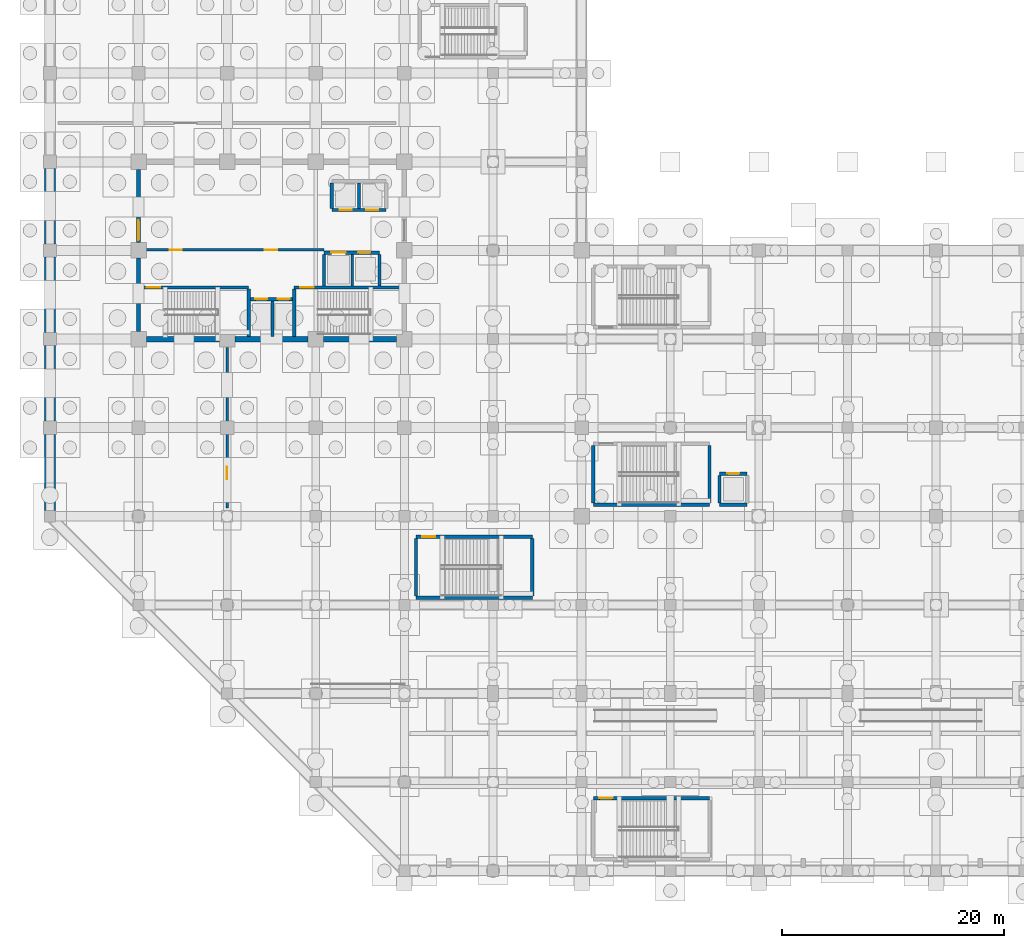
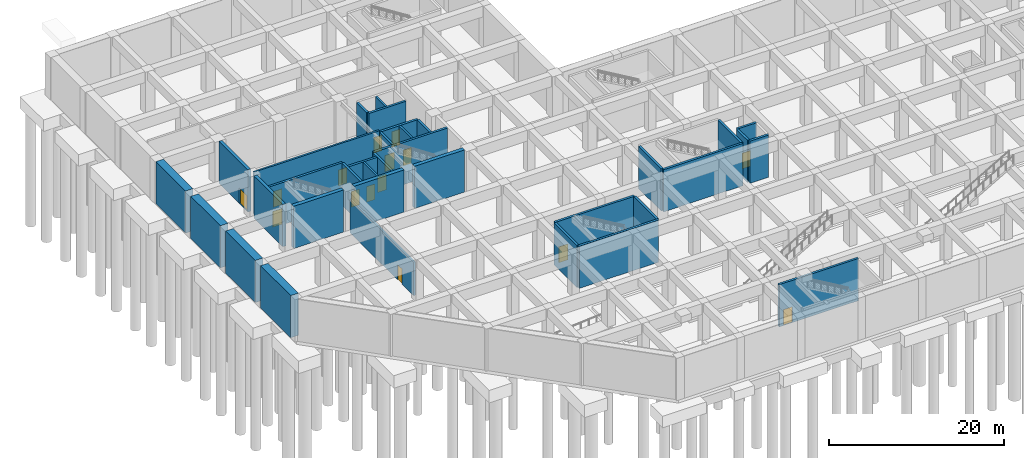
# One storey, part 15 of 26: 35 walls, 15 doors, 15 openings.
"""IFC4 building model written with IfcOpenShell, lengths in metres."""

import ifcopenshell
import ifcopenshell.guid

model = None  # the IFC model being written
_history = None  # IfcOwnerHistory: only IFC2X3 demands one
_inside = {}  # id of a spatial element -> (the spatial element, [elements in it])
_under = {}  # id of a project, library or spatial element -> (it, [spatial elements below it])
_declared = {}  # id of a project -> (the project, [libraries it declares])
_typed = {}  # id of a type object -> (the type object, [elements of that type])
_made_of = {}  # id of a material, layer set ... -> (it, [elements and type objects made of it])


def new_model(schema):
    """Start an empty IFC model of exactly this schema.

    Asked for "IFC4X3", IfcOpenShell would pick the latest addendum, in which some entities
    have other attributes; the version numbers below select the first issue.
    IFC2X3 requires an IfcOwnerHistory on every rooted entity: one is made here for all.
    """
    global model, _history
    if schema == "IFC4X3":
        model = ifcopenshell.file(schema_version=(4, 3, 0, 0))
    else:
        model = ifcopenshell.file(schema=schema)
    _inside.clear()
    _under.clear()
    _declared.clear()
    _typed.clear()
    _made_of.clear()
    _history = None
    if model.schema == "IFC2X3":
        org = make("IfcOrganization", Name="unknown")
        user = make(
            "IfcPersonAndOrganization",
            ThePerson=make("IfcPerson", FamilyName="unknown"),
            TheOrganization=org,
        )
        app = make(
            "IfcApplication",
            ApplicationDeveloper=org,
            Version="unknown",
            ApplicationFullName="unknown",
            ApplicationIdentifier="unknown",
        )
        _history = make(
            "IfcOwnerHistory",
            OwningUser=user,
            OwningApplication=app,
            ChangeAction="ADDED",
            CreationDate=0,
        )
    return model


def make(cls, **values):
    """One entity of the class cls with the attributes given. An attribute that is None is left unset."""
    return model.create_entity(
        cls, **{name: value for name, value in values.items() if value is not None}
    )


def rooted(cls, **values):
    """An entity with a GlobalId (a new one), such as an element, a storey or a relation."""
    return make(cls, GlobalId=ifcopenshell.guid.new(), OwnerHistory=_history, **values)


def si_unit(unit_type, name, prefix=None):
    """IfcSIUnit, for example si_unit("LENGTHUNIT", "METRE", prefix="MILLI")."""
    return make("IfcSIUnit", UnitType=unit_type, Prefix=prefix, Name=name)


def assignment(units):
    """IfcUnitAssignment: the units of a project."""
    return None if units is None else make("IfcUnitAssignment", Units=units)


def point(xyz):
    """IfcCartesianPoint."""
    return None if xyz is None else make("IfcCartesianPoint", Coordinates=xyz)


def direction(xyz):
    """IfcDirection."""
    return None if xyz is None else make("IfcDirection", DirectionRatios=xyz)


def frame(location, z_axis=None, x_axis=None):
    """IfcAxis2Placement3D, a coordinate frame: its origin and axes. An axis left out is left unset."""
    return make(
        "IfcAxis2Placement3D",
        Location=point(location),
        Axis=direction(z_axis),
        RefDirection=direction(x_axis),
    )


def frame_2d(location, x_axis=None):
    """IfcAxis2Placement2D, a coordinate frame in the plane: its origin and x axis."""
    return make(
        "IfcAxis2Placement2D", Location=point(location), RefDirection=direction(x_axis)
    )


def origin():
    """The frame at (0, 0, 0) with its axes left unset."""
    return frame((0.0, 0.0, 0.0))


def place(relative_to, where):
    """IfcLocalPlacement: puts the frame where relative to a parent placement (None: the world)."""
    return make(
        "IfcLocalPlacement", PlacementRelTo=relative_to, RelativePlacement=where
    )


def context(
    kind, dimensions, precision=None, world=None, true_north=None, identifier=None
):
    """IfcGeometricRepresentationContext, for example the 3D "Model" context."""
    return make(
        "IfcGeometricRepresentationContext",
        ContextIdentifier=identifier,
        ContextType=kind,
        CoordinateSpaceDimension=dimensions,
        Precision=precision,
        WorldCoordinateSystem=world,
        TrueNorth=true_north,
    )


def subcontext(parent, identifier, kind, view, scale=None):
    """IfcGeometricRepresentationSubContext, for example "Body" below "Model"."""
    return make(
        "IfcGeometricRepresentationSubContext",
        ContextIdentifier=identifier,
        ContextType=kind,
        ParentContext=parent,
        TargetScale=scale,
        TargetView=view,
    )


def project(units=None, contexts=None):
    """IfcProject with its units and contexts."""
    return rooted(
        "IfcProject",
        Name="project",
        RepresentationContexts=contexts,
        UnitsInContext=assignment(units),
    )


def spatial(cls, under=None, at=None, **own):
    """A site, building, storey or space (cls), placed at a placement, below another one or the project."""
    s = rooted(cls, ObjectPlacement=at, **own)
    if under is not None:
        _under.setdefault(under.id(), (under, []))[1].append(s)
    return s


def profile(cls, at=None, kind="AREA", **sizes):
    """A parametric profile (cls). Its sizes go by their IFC names, for example OverallWidth=200.0."""
    return make(cls, ProfileType=kind, Position=at, **sizes)


def rectangle(**sizes):
    """IfcRectangleProfileDef."""
    return profile("IfcRectangleProfileDef", **sizes)


def extrude(swept, where, along, depth):
    """IfcExtrudedAreaSolid: the profile swept, set in the frame where, extruded along a direction by depth."""
    return make(
        "IfcExtrudedAreaSolid",
        SweptArea=swept,
        Position=where,
        ExtrudedDirection=direction(along),
        Depth=depth,
    )


def shape(context_of_items, identifier, shape_type, items):
    """IfcShapeRepresentation: the items that make up one representation, for example the "Body"."""
    return make(
        "IfcShapeRepresentation",
        ContextOfItems=context_of_items,
        RepresentationIdentifier=identifier,
        RepresentationType=shape_type,
        Items=items,
    )


def material(Name=None, Category=None):
    """IfcMaterial."""
    return make("IfcMaterial", Name=Name, Category=Category)


def layer(
    of_material, thickness, ventilated=None, Name=None, Category=None, Priority=None
):
    """IfcMaterialLayer: one layer of a wall or slab, of a material (None: an air gap)."""
    return make(
        "IfcMaterialLayer",
        Material=of_material,
        LayerThickness=thickness,
        IsVentilated=ventilated,
        Name=Name,
        Category=Category,
        Priority=Priority,
    )


def layer_set(layers, Name=None):
    """IfcMaterialLayerSet."""
    return make("IfcMaterialLayerSet", MaterialLayers=layers, LayerSetName=Name)


def made_of(thing, what):
    """Note that an element or type object is made of a material, layer set ...; save() writes the relation."""
    if what is not None:
        _made_of.setdefault(what.id(), (what, []))[1].append(thing)
    return thing


def type_object(cls, material=None, **own):
    """A type object (cls), such as IfcWallType, which elements share."""
    return made_of(rooted(cls, **own), material)


def element(
    cls,
    number,
    at=None,
    inside=None,
    cuts=None,
    type_object=None,
    material=None,
    context=None,
    identifier="Body",
    shape_type=None,
    held_by="IfcProductDefinitionShape",
    body=None,
    shapes=None,
    **own,
):
    """One element of the class cls, such as IfcWall. Its Tag is "e" and its number.

    at: its placement. inside: the storey or other place that contains it. cuts: it is an
    opening in that element (IfcRelVoidsElement). A single representation is given by context,
    identifier, shape_type and body (its items); several are given by shapes. held_by: the class
    of the entity that holds the representations. save() writes the other relations.
    """
    e = rooted(cls, Tag="e%d" % number, ObjectPlacement=at, **own)
    if body is not None:
        shapes = [shape(context, identifier, shape_type, body)]
    if shapes is not None:
        e.Representation = make(held_by, Representations=shapes)
    if inside is not None:
        _inside.setdefault(inside.id(), (inside, []))[1].append(e)
    if cuts is not None:
        rooted(
            "IfcRelVoidsElement", RelatingBuildingElement=cuts, RelatedOpeningElement=e
        )
    if type_object is not None:
        _typed.setdefault(type_object.id(), (type_object, []))[1].append(e)
    return made_of(e, material)


def fill(opening, filler):
    """IfcRelFillsElement: the door or window that sits in an opening."""
    return rooted(
        "IfcRelFillsElement",
        RelatingOpeningElement=opening,
        RelatedBuildingElement=filler,
    )


def aggregate(whole, parts):
    """IfcRelAggregates: a whole, such as a stair, and the parts it consists of."""
    return rooted("IfcRelAggregates", RelatingObject=whole, RelatedObjects=parts)


def save(model, path):
    """Write the relations noted so far, then the file.

    IfcRelAggregates (storeys below a building ...), IfcRelContainedInSpatialStructure (elements
    in a storey), IfcRelDefinesByType, IfcRelAssociatesMaterial and IfcRelDeclares: one each for
    every whole, place, type object, material and project.
    """
    for whole, parts in _under.values():
        aggregate(whole, parts)
    for where, things in _inside.values():
        rooted(
            "IfcRelContainedInSpatialStructure",
            RelatedElements=things,
            RelatingStructure=where,
        )
    for kind, things in _typed.values():
        rooted("IfcRelDefinesByType", RelatedObjects=things, RelatingType=kind)
    for what, things in _made_of.values():
        rooted("IfcRelAssociatesMaterial", RelatedObjects=things, RelatingMaterial=what)
    for by, libraries in _declared.values():
        rooted("IfcRelDeclares", RelatingContext=by, RelatedDefinitions=libraries)
    model.write(path)


model = new_model("IFC4")

# Units and contexts
model_context = context("Model", 3, precision=1e-05, world=origin(), true_north=direction((0.0, 1.0)))
body_context = subcontext(model_context, "Body", "Model", "MODEL_VIEW")
ifc_project = project(units=[si_unit("LENGTHUNIT", "METRE"), si_unit("AREAUNIT", "SQUARE_METRE"), si_unit("VOLUMEUNIT", "CUBIC_METRE"), si_unit("PLANEANGLEUNIT", "RADIAN"), si_unit("MASSUNIT", "GRAM", prefix="KILO")], contexts=[model_context])

# Site, building, storey
site_placement = place(None, origin())
site = spatial("IfcSite", under=ifc_project, at=site_placement, CompositionType="ELEMENT")
building_placement = place(site_placement, origin())
building = spatial("IfcBuilding", under=site, at=building_placement, Name="Varnela Railside Interchange", CompositionType="ELEMENT")
storey_placement = place(building_placement, frame((0.0, 0.0, -12.60009765625)))
storey = spatial("IfcBuildingStorey", under=building, at=storey_placement, Name="B2", CompositionType="ELEMENT", Elevation=-12.60009765625)

# Wall
ifc_material_1 = material(Name="Concrete C50", Category="concrete")
ifc_layer_1 = layer(ifc_material_1, 0.39990234375)
ifc_layer_set_1 = layer_set([ifc_layer_1], Name="Concrete C50")
wall_type_1 = type_object("IfcWallType", Name="Core Coupling Shear Wall SW-02", PredefinedType="SHEAR", material=ifc_layer_set_1)
wall_1_placement = place(storey_placement, frame((12.0, 54.699951171875, 0.0), z_axis=(0.0, 0.0, 1.0), x_axis=(0.0, 1.0, 0.0)))
element("IfcWall", 1, at=wall_1_placement, inside=storey, type_object=wall_type_1, Name="Core Coupling Shear Wall SW-02 (B2) (WL-0025)", PredefinedType="SHEAR", context=body_context, shape_type="SweptSolid", body=[
    extrude(rectangle(XDim=6.60009765625, YDim=0.39990234375, at=frame_2d((3.300048828125, 0.0))), origin(), (0.0, 0.0, 1.0), 5.900146484375),
])

# Wall, opening, door
wall_2_placement = place(storey_placement, frame((12.0, 62.699951171875, 0.0), z_axis=(0.0, 0.0, 1.0), x_axis=(0.0, 1.0, 0.0)))
wall_2 = element("IfcWall", 2, at=wall_2_placement, inside=storey, type_object=wall_type_1, Name="Core Coupling Shear Wall SW-02 (B2) (WL-0026)", PredefinedType="SHEAR", context=body_context, shape_type="SweptSolid", body=[
    extrude(rectangle(XDim=6.60009765625, YDim=0.39990234375, at=frame_2d((3.300048828125, 0.0))), origin(), (0.0, 0.0, 1.0), 5.900146484375),
])
opening_1_placement = place(wall_2_placement, frame((0.199951171875, 0.0, 0.0)))
opening_1 = element("IfcOpeningElement", 3, at=opening_1_placement, cuts=wall_2, Name="Opening D-105", PredefinedType="OPENING", context=body_context, shape_type="SweptSolid", body=[
    extrude(rectangle(XDim=1.800048828125, YDim=2.199951171875, at=frame_2d((0.89990234375, 1.10009765625))), frame((0.0, 0.2099609375, 0.0), z_axis=(0.0, -1.0, 0.0), x_axis=(1.0, 0.0, 0.0)), (0.0, 0.0, 1.0), 0.419921875),
])
ifc_material_2 = material(Name="Steel AR 350 (350 MPa)", Category="steel")
door_type_1 = type_object("IfcDoorType", Name="DR-DBL-1800-FD60", OperationType="DOUBLE_DOOR_SINGLE_SWING", PredefinedType="DOOR", material=ifc_material_2)
door_1_placement = place(opening_1_placement, frame((1.800048828125, 0.0, 0.0), z_axis=(0.0, 0.0, 1.0), x_axis=(-1.0, 0.0, 0.0)))
door_1 = element("IfcDoor", 4, at=door_1_placement, inside=storey, type_object=door_type_1, Name="Door D-105", OperationType="DOUBLE_DOOR_SINGLE_SWING", OverallHeight=2.199951171875, OverallWidth=1.800048828125, PredefinedType="DOOR", context=body_context, shape_type="SweptSolid", body=[
    extrude(rectangle(XDim=1.800048828125, YDim=2.199951171875, at=frame_2d((0.89990234375, 1.10009765625))), frame((0.0, 0.02490234375, 0.0), z_axis=(0.0, -1.0, 0.0), x_axis=(1.0, 0.0, 0.0)), (0.0, 0.0, 1.0), 0.050048828125),
])
fill(opening_1, door_1)

# Walls
ifc_layer_2 = layer(ifc_material_1, 0.5)
ifc_layer_set_2 = layer_set([ifc_layer_2], Name="Concrete C50")
wall_type_2 = type_object("IfcWallType", Name="Core Primary Shear Wall SW-01", PredefinedType="SHEAR", material=ifc_layer_set_2)
for number, where, z_axis, x_axis, name in (
    (5, (12.699951171875, 54.0, 0.0), (0.0, 0.0, 1.0), (1.0, 0.0, 0.0), "Core Primary Shear Wall SW-01 (B2) (WL-0018)"),
    (6, (20.699951171875, 54.0, 0.0), (0.0, 0.0, 1.0), (1.0, 0.0, 0.0), "Core Primary Shear Wall SW-01 (B2) (WL-0019)"),
    (7, (28.699951171875, 54.0, 0.0), (0.0, 0.0, 1.0), (1.0, 0.0, 0.0), "Core Primary Shear Wall SW-01 (B2) (WL-0020)"),
):
    element("IfcWall", number, at=place(storey_placement, frame(where, z_axis=z_axis, x_axis=x_axis)), inside=storey, type_object=wall_type_2, Name=name, PredefinedType="SHEAR", context=body_context, shape_type="SweptSolid", body=[
        extrude(rectangle(XDim=6.60009765625, YDim=0.5, at=frame_2d((3.300048828125, 0.0))), origin(), (0.0, 0.0, 1.0), 5.900146484375),
    ])
ifc_layer_3 = layer(ifc_material_1, 1.0)
ifc_layer_set_3 = layer_set([ifc_layer_3], Name="Concrete C50")
wall_type_3 = type_object("IfcWallType", Name="Perimeter Diaphragm Wall DW-01", PredefinedType="USERDEFINED", material=ifc_layer_set_3)
for number, where, z_axis, x_axis, name in (
    (8, (4.0, 69.39990234375, 0.0), (0.0, 0.0, 1.0), (0.0, -1.0, 0.0), "Perimeter Diaphragm Wall DW-01 (B2) (WL-0085)"),
    (9, (4.0, 61.39990234375, 0.0), (0.0, 0.0, 1.0), (0.0, -1.0, 0.0), "Perimeter Diaphragm Wall DW-01 (B2) (WL-0086)"),
    (10, (4.0, 53.39990234375, 0.0), (0.0, 0.0, 1.0), (0.0, -1.0, 0.0), "Perimeter Diaphragm Wall DW-01 (B2) (WL-0087)"),
):
    element("IfcWall", number, at=place(storey_placement, frame(where, z_axis=z_axis, x_axis=x_axis)), inside=storey, type_object=wall_type_3, Name=name, ObjectType="RETAININGWALL", PredefinedType="USERDEFINED", context=body_context, shape_type="SweptSolid", body=[
        extrude(rectangle(XDim=6.7998046875, YDim=1.0, at=frame_2d((3.39990234375, 0.0))), origin(), (0.0, 0.0, 1.0), 5.900146484375),
    ])
wall_3_placement = place(storey_placement, frame((4.0, 45.39990234375, 0.0), z_axis=(0.0, 0.0, 1.0), x_axis=(0.0, -1.0, 0.0)))
element("IfcWall", 11, at=wall_3_placement, inside=storey, type_object=wall_type_3, Name="Perimeter Diaphragm Wall DW-01 (B2) (WL-0088)", ObjectType="RETAININGWALL", PredefinedType="USERDEFINED", context=body_context, shape_type="SweptSolid", body=[
    extrude(rectangle(XDim=6.89990234375, YDim=1.0, at=frame_2d((3.449951171875, 0.0))), origin(), (0.0, 0.0, 1.0), 5.900146484375),
])

# Wall, opening, door
ifc_layer_4 = layer(ifc_material_1, 0.300048828125)
ifc_layer_set_4 = layer_set([ifc_layer_4], Name="Concrete C50")
wall_type_4 = type_object("IfcWallType", Name="Stair & Lift Shaft Wall SW-03", PredefinedType="SHEAR", material=ifc_layer_set_4)
wall_4_placement = place(storey_placement, frame((12.199951171875, 58.64990234375, 0.0), z_axis=(0.0, 0.0, 1.0), x_axis=(1.0, 0.0, 0.0)))
wall_4 = element("IfcWall", 12, at=wall_4_placement, inside=storey, type_object=wall_type_4, Name="Stair & Lift Shaft Wall SW-03 (B2) (WL-0022)", PredefinedType="SHEAR", context=body_context, shape_type="SweptSolid", body=[
    extrude(rectangle(XDim=9.75, YDim=0.300048828125, at=frame_2d((4.875, 0.0))), origin(), (0.0, 0.0, 1.0), 5.900146484375),
])
opening_2_placement = place(wall_4_placement, frame((0.550048828125, 0.0, 0.0)))
opening_2 = element("IfcOpeningElement", 13, at=opening_2_placement, cuts=wall_4, Name="Opening D-101", PredefinedType="OPENING", context=body_context, shape_type="SweptSolid", body=[
    extrude(rectangle(XDim=1.199951171875, YDim=2.199951171875, at=frame_2d((0.60009765625, 1.10009765625))), frame((0.0, 0.159912109375, 0.0), z_axis=(0.0, -1.0, 0.0), x_axis=(1.0, 0.0, 0.0)), (0.0, 0.0, 1.0), 0.320068359375),
])
door_type_2 = type_object("IfcDoorType", Name="DR-SGL-1200-FD90", OperationType="NOTDEFINED", PredefinedType="DOOR", material=ifc_material_2)
door_2_placement = place(opening_2_placement, frame((1.199951171875, 0.0, 0.0), z_axis=(0.0, 0.0, 1.0), x_axis=(-1.0, 0.0, 0.0)))
door_2 = element("IfcDoor", 14, at=door_2_placement, inside=storey, type_object=door_type_2, Name="Door D-101", OperationType="SINGLE_SWING_LEFT", OverallHeight=2.199951171875, OverallWidth=1.199951171875, PredefinedType="DOOR", context=body_context, shape_type="SweptSolid", body=[
    extrude(rectangle(XDim=1.199951171875, YDim=2.199951171875, at=frame_2d((0.60009765625, 1.10009765625))), frame((0.0, 0.02490234375, 0.0), z_axis=(0.0, -1.0, 0.0), x_axis=(1.0, 0.0, 0.0)), (0.0, 0.0, 1.0), 0.050048828125),
])
fill(opening_2, door_2)

# Wall
wall_5_placement = place(storey_placement, frame((21.949951171875, 54.25, 0.0), z_axis=(0.0, 0.0, 1.0), x_axis=(0.0, 1.0, 0.0)))
element("IfcWall", 15, at=wall_5_placement, inside=storey, type_object=wall_type_4, Name="Stair & Lift Shaft Wall SW-03 (B2) (WL-0021)", PredefinedType="SHEAR", context=body_context, shape_type="SweptSolid", body=[
    extrude(rectangle(XDim=4.25, YDim=0.300048828125, at=frame_2d((2.125, 0.0))), origin(), (0.0, 0.0, 1.0), 5.900146484375),
])

# Wall, opening, door
wall_6_placement = place(storey_placement, frame((26.050048828125, 58.64990234375, 0.0), z_axis=(0.0, 0.0, 1.0), x_axis=(1.0, 0.0, 0.0)))
wall_6 = element("IfcWall", 16, at=wall_6_placement, inside=storey, type_object=wall_type_4, Name="Stair & Lift Shaft Wall SW-03 (B2) (WL-0023)", PredefinedType="SHEAR", context=body_context, shape_type="SweptSolid", body=[
    extrude(rectangle(XDim=9.75, YDim=0.300048828125, at=frame_2d((4.875, 0.0))), origin(), (0.0, 0.0, 1.0), 5.900146484375),
])
opening_3_placement = place(wall_6_placement, frame((0.550048828125, 0.0, 0.0)))
opening_3 = element("IfcOpeningElement", 17, at=opening_3_placement, cuts=wall_6, Name="Opening D-102", PredefinedType="OPENING", context=body_context, shape_type="SweptSolid", body=[
    extrude(rectangle(XDim=1.199951171875, YDim=2.199951171875, at=frame_2d((0.60009765625, 1.10009765625))), frame((0.0, 0.159912109375, 0.0), z_axis=(0.0, -1.0, 0.0), x_axis=(1.0, 0.0, 0.0)), (0.0, 0.0, 1.0), 0.320068359375),
])
door_3_placement = place(opening_3_placement, frame((1.199951171875, 0.0, 0.0), z_axis=(0.0, 0.0, 1.0), x_axis=(-1.0, 0.0, 0.0)))
door_3 = element("IfcDoor", 18, at=door_3_placement, inside=storey, type_object=door_type_2, Name="Door D-102", OperationType="SINGLE_SWING_RIGHT", OverallHeight=2.199951171875, OverallWidth=1.199951171875, PredefinedType="DOOR", context=body_context, shape_type="SweptSolid", body=[
    extrude(rectangle(XDim=1.199951171875, YDim=2.199951171875, at=frame_2d((0.60009765625, 1.10009765625))), frame((0.0, 0.02490234375, 0.0), z_axis=(0.0, -1.0, 0.0), x_axis=(1.0, 0.0, 0.0)), (0.0, 0.0, 1.0), 0.050048828125),
])
fill(opening_3, door_3)

# Wall
wall_7_placement = place(storey_placement, frame((26.050048828125, 54.25, 0.0), z_axis=(0.0, 0.0, 1.0), x_axis=(0.0, 1.0, 0.0)))
element("IfcWall", 19, at=wall_7_placement, inside=storey, type_object=wall_type_4, Name="Stair & Lift Shaft Wall SW-03 (B2) (WL-0024)", PredefinedType="SHEAR", context=body_context, shape_type="SweptSolid", body=[
    extrude(rectangle(XDim=4.25, YDim=0.300048828125, at=frame_2d((2.125, 0.0))), origin(), (0.0, 0.0, 1.0), 5.900146484375),
])

# Wall, openings, doors
wall_8_placement = place(storey_placement, frame((22.10009765625, 57.60009765625, 0.0), z_axis=(0.0, 0.0, 1.0), x_axis=(1.0, 0.0, 0.0)))
wall_8 = element("IfcWall", 20, at=wall_8_placement, inside=storey, type_object=wall_type_4, Name="Stair & Lift Shaft Wall SW-03 (B2) (WL-0005)", PredefinedType="SHEAR", context=body_context, shape_type="SweptSolid", body=[
    extrude(rectangle(XDim=3.949951171875, YDim=0.300048828125, at=frame_2d((1.97509765625, 0.0))), origin(), (0.0, 0.0, 1.0), 5.900146484375),
])
opening_4_placement = place(wall_8_placement, frame((0.449951171875, 0.0, 0.0)))
opening_4 = element("IfcOpeningElement", 21, at=opening_4_placement, cuts=wall_8, Name="Opening LD-001", PredefinedType="OPENING", context=body_context, shape_type="SweptSolid", body=[
    extrude(rectangle(XDim=1.080078125, YDim=2.199951171875, at=frame_2d((0.5400390625, 1.10009765625))), frame((0.0, 0.159912109375, 0.0), z_axis=(0.0, -1.0, 0.0), x_axis=(1.0, 0.0, 0.0)), (0.0, 0.0, 1.0), 0.320068359375),
])
opening_5_placement = place(wall_8_placement, frame((2.449951171875, 0.0, 0.0)))
opening_5 = element("IfcOpeningElement", 22, at=opening_5_placement, cuts=wall_8, Name="Opening LD-002", PredefinedType="OPENING", context=body_context, shape_type="SweptSolid", body=[
    extrude(rectangle(XDim=1.080078125, YDim=2.199951171875, at=frame_2d((0.5400390625, 1.10009765625))), frame((0.0, 0.159912109375, 0.0), z_axis=(0.0, -1.0, 0.0), x_axis=(1.0, 0.0, 0.0)), (0.0, 0.0, 1.0), 0.320068359375),
])
door_type_3 = type_object("IfcDoorType", Name="DR-LIFT-1080", OperationType="SLIDING_TO_LEFT", PredefinedType="DOOR", material=ifc_material_2)
door_4_placement = place(opening_4_placement, origin())
door_4 = element("IfcDoor", 23, at=door_4_placement, inside=storey, type_object=door_type_3, Name="Door LD-001", OperationType="SLIDING_TO_LEFT", OverallHeight=2.199951171875, OverallWidth=1.080078125, PredefinedType="DOOR", context=body_context, shape_type="SweptSolid", body=[
    extrude(rectangle(XDim=1.080078125, YDim=2.199951171875, at=frame_2d((0.5400390625, 1.10009765625))), frame((0.0, 0.02490234375, 0.0), z_axis=(0.0, -1.0, 0.0), x_axis=(1.0, 0.0, 0.0)), (0.0, 0.0, 1.0), 0.050048828125),
])
fill(opening_4, door_4)
door_5_placement = place(opening_5_placement, origin())
door_5 = element("IfcDoor", 24, at=door_5_placement, inside=storey, type_object=door_type_3, Name="Door LD-002", OperationType="SLIDING_TO_LEFT", OverallHeight=2.199951171875, OverallWidth=1.080078125, PredefinedType="DOOR", context=body_context, shape_type="SweptSolid", body=[
    extrude(rectangle(XDim=1.080078125, YDim=2.199951171875, at=frame_2d((0.5400390625, 1.10009765625))), frame((0.0, 0.02490234375, 0.0), z_axis=(0.0, -1.0, 0.0), x_axis=(1.0, 0.0, 0.0)), (0.0, 0.0, 1.0), 0.050048828125),
])
fill(opening_5, door_5)

# Wall
wall_9_placement = place(storey_placement, frame((24.10009765625, 54.25, 0.0), z_axis=(0.0, 0.0, 1.0), x_axis=(0.0, 1.0, 0.0)))
element("IfcWall", 25, at=wall_9_placement, inside=storey, type_object=wall_type_4, Name="Stair & Lift Shaft Wall SW-03 (B2) (WL-0004)", PredefinedType="SHEAR", context=body_context, shape_type="SweptSolid", body=[
    extrude(rectangle(XDim=3.199951171875, YDim=0.25, at=frame_2d((1.60009765625, 0.0))), origin(), (0.0, 0.0, 1.0), 5.900146484375),
])

# Wall, openings, doors
wall_10_placement = place(storey_placement, frame((28.75, 61.800048828125, 0.0), z_axis=(0.0, 0.0, 1.0), x_axis=(1.0, 0.0, 0.0)))
wall_10 = element("IfcWall", 26, at=wall_10_placement, inside=storey, type_object=wall_type_4, Name="Stair & Lift Shaft Wall SW-03 (B2) (WL-0008)", PredefinedType="SHEAR", context=body_context, shape_type="SweptSolid", body=[
    extrude(rectangle(XDim=5.0, YDim=0.300048828125, at=frame_2d((2.5, 0.0))), origin(), (0.0, 0.0, 1.0), 5.900146484375),
])
opening_6_placement = place(wall_10_placement, frame((0.64990234375, 0.0, 0.0)))
opening_6 = element("IfcOpeningElement", 27, at=opening_6_placement, cuts=wall_10, Name="Opening LD-003", PredefinedType="OPENING", context=body_context, shape_type="SweptSolid", body=[
    extrude(rectangle(XDim=1.300048828125, YDim=2.300048828125, at=frame_2d((0.64990234375, 1.14990234375))), frame((0.0, 0.159912109375, 0.0), z_axis=(0.0, -1.0, 0.0), x_axis=(1.0, 0.0, 0.0)), (0.0, 0.0, 1.0), 0.320068359375),
])
opening_7_placement = place(wall_10_placement, frame((3.10009765625, 0.0, 0.0)))
opening_7 = element("IfcOpeningElement", 28, at=opening_7_placement, cuts=wall_10, Name="Opening LD-004", PredefinedType="OPENING", context=body_context, shape_type="SweptSolid", body=[
    extrude(rectangle(XDim=1.080078125, YDim=2.199951171875, at=frame_2d((0.5400390625, 1.10009765625))), frame((0.0, 0.159912109375, 0.0), z_axis=(0.0, -1.0, 0.0), x_axis=(1.0, 0.0, 0.0)), (0.0, 0.0, 1.0), 0.320068359375),
])
door_6_placement = place(opening_7_placement, origin())
door_6 = element("IfcDoor", 29, at=door_6_placement, inside=storey, type_object=door_type_3, Name="Door LD-004", OperationType="SLIDING_TO_LEFT", OverallHeight=2.199951171875, OverallWidth=1.080078125, PredefinedType="DOOR", context=body_context, shape_type="SweptSolid", body=[
    extrude(rectangle(XDim=1.080078125, YDim=2.199951171875, at=frame_2d((0.5400390625, 1.10009765625))), frame((0.0, 0.02490234375, 0.0), z_axis=(0.0, -1.0, 0.0), x_axis=(1.0, 0.0, 0.0)), (0.0, 0.0, 1.0), 0.050048828125),
])
fill(opening_7, door_6)
door_type_4 = type_object("IfcDoorType", Name="DR-LIFT-1300", OperationType="SLIDING_TO_LEFT", PredefinedType="DOOR", material=ifc_material_2)
door_7_placement = place(opening_6_placement, origin())
door_7 = element("IfcDoor", 30, at=door_7_placement, inside=storey, type_object=door_type_4, Name="Door LD-003", OperationType="SLIDING_TO_LEFT", OverallHeight=2.300048828125, OverallWidth=1.300048828125, PredefinedType="DOOR", context=body_context, shape_type="SweptSolid", body=[
    extrude(rectangle(XDim=1.300048828125, YDim=2.300048828125, at=frame_2d((0.64990234375, 1.14990234375))), frame((0.0, 0.02490234375, 0.0), z_axis=(0.0, -1.0, 0.0), x_axis=(1.0, 0.0, 0.0)), (0.0, 0.0, 1.0), 0.050048828125),
])
fill(opening_6, door_7)

# Walls
for number, where, z_axis, x_axis, name in (
    (31, (28.75, 58.800048828125, 0.0), (0.0, 0.0, 1.0), (0.0, 1.0, 0.0), "Stair & Lift Shaft Wall SW-03 (B2) (WL-0009)"),
    (32, (33.75, 58.800048828125, 0.0), (0.0, 0.0, 1.0), (0.0, 1.0, 0.0), "Stair & Lift Shaft Wall SW-03 (B2) (WL-0007)"),
):
    element("IfcWall", number, at=place(storey_placement, frame(where, z_axis=z_axis, x_axis=x_axis)), inside=storey, type_object=wall_type_4, Name=name, PredefinedType="SHEAR", context=body_context, shape_type="SweptSolid", body=[
        extrude(rectangle(XDim=2.849853515625, YDim=0.300048828125, at=frame_2d((1.4248046875, 0.0))), origin(), (0.0, 0.0, 1.0), 5.900146484375),
    ])
wall_11_placement = place(storey_placement, frame((31.300048828125, 58.800048828125, 0.0), z_axis=(0.0, 0.0, 1.0), x_axis=(0.0, 1.0, 0.0)))
element("IfcWall", 33, at=wall_11_placement, inside=storey, type_object=wall_type_4, Name="Stair & Lift Shaft Wall SW-03 (B2) (WL-0006)", PredefinedType="SHEAR", context=body_context, shape_type="SweptSolid", body=[
    extrude(rectangle(XDim=2.849853515625, YDim=0.25, at=frame_2d((1.4248046875, 0.0))), origin(), (0.0, 0.0, 1.0), 5.900146484375),
])

# Wall, openings, doors
wall_12_placement = place(storey_placement, frame((12.199951171875, 62.050048828125, 0.0), z_axis=(0.0, 0.0, 1.0), x_axis=(1.0, 0.0, 0.0)))
wall_12 = element("IfcWall", 34, at=wall_12_placement, inside=storey, type_object=wall_type_4, Name="Stair & Lift Shaft Wall SW-03 (B2) (WL-0003)", PredefinedType="SHEAR", context=body_context, shape_type="SweptSolid", body=[
    extrude(rectangle(XDim=16.550048828125, YDim=0.25, at=frame_2d((8.27490234375, 0.0))), origin(), (0.0, 0.0, 1.0), 5.900146484375),
])
opening_8_placement = place(wall_12_placement, frame((2.60009765625, 0.0, 0.0)))
opening_8 = element("IfcOpeningElement", 35, at=opening_8_placement, cuts=wall_12, Name="Opening D-103", PredefinedType="OPENING", context=body_context, shape_type="SweptSolid", body=[
    extrude(rectangle(XDim=1.1201171875, YDim=2.219970703125, at=frame_2d((0.56005859375, 1.10986328125))), frame((0.0, 0.135009765625, 0.0), z_axis=(0.0, -1.0, 0.0), x_axis=(1.0, 0.0, 0.0)), (0.0, 0.0, 1.0), 0.27001953125),
])
opening_9_placement = place(wall_12_placement, frame((11.199951171875, 0.0, 0.0)))
opening_9 = element("IfcOpeningElement", 36, at=opening_9_placement, cuts=wall_12, Name="Opening D-104", PredefinedType="OPENING", context=body_context, shape_type="SweptSolid", body=[
    extrude(rectangle(XDim=1.1201171875, YDim=2.219970703125, at=frame_2d((0.56005859375, 1.10986328125))), frame((0.0, 0.135009765625, 0.0), z_axis=(0.0, -1.0, 0.0), x_axis=(1.0, 0.0, 0.0)), (0.0, 0.0, 1.0), 0.27001953125),
])
door_type_5 = type_object("IfcDoorType", Name="DR-SGL-1120-FD90", OperationType="NOTDEFINED", PredefinedType="DOOR", material=ifc_material_2)
door_8_placement = place(opening_8_placement, frame((1.1201171875, 0.0, 0.0), z_axis=(0.0, 0.0, 1.0), x_axis=(-1.0, 0.0, 0.0)))
door_8 = element("IfcDoor", 37, at=door_8_placement, inside=storey, type_object=door_type_5, Name="Door D-103", OperationType="SINGLE_SWING_LEFT", OverallHeight=2.219970703125, OverallWidth=1.1201171875, PredefinedType="DOOR", context=body_context, shape_type="SweptSolid", body=[
    extrude(rectangle(XDim=1.1201171875, YDim=2.219970703125, at=frame_2d((0.56005859375, 1.10986328125))), frame((0.0, 0.02490234375, 0.0), z_axis=(0.0, -1.0, 0.0), x_axis=(1.0, 0.0, 0.0)), (0.0, 0.0, 1.0), 0.050048828125),
])
fill(opening_8, door_8)
door_9_placement = place(opening_9_placement, frame((1.1201171875, 0.0, 0.0), z_axis=(0.0, 0.0, 1.0), x_axis=(-1.0, 0.0, 0.0)))
door_9 = element("IfcDoor", 38, at=door_9_placement, inside=storey, type_object=door_type_5, Name="Door D-104", OperationType="SINGLE_SWING_RIGHT", OverallHeight=2.219970703125, OverallWidth=1.1201171875, PredefinedType="DOOR", context=body_context, shape_type="SweptSolid", body=[
    extrude(rectangle(XDim=1.1201171875, YDim=2.219970703125, at=frame_2d((0.56005859375, 1.10986328125))), frame((0.0, 0.02490234375, 0.0), z_axis=(0.0, -1.0, 0.0), x_axis=(1.0, 0.0, 0.0)), (0.0, 0.0, 1.0), 0.050048828125),
])
fill(opening_9, door_9)

wall_13_placement = place(storey_placement, frame((29.449951171875, 65.64990234375, 0.0), z_axis=(0.0, 0.0, 1.0), x_axis=(1.0, 0.0, 0.0)))
wall_13 = element("IfcWall", 39, at=wall_13_placement, inside=storey, type_object=wall_type_4, Name="Stair & Lift Shaft Wall SW-03 (B2) (WL-0013)", PredefinedType="SHEAR", context=body_context, shape_type="SweptSolid", body=[
    extrude(rectangle(XDim=4.900146484375, YDim=0.300048828125, at=frame_2d((2.4501953125, 0.0))), origin(), (0.0, 0.0, 1.0), 5.900146484375),
])
opening_10_placement = place(wall_13_placement, frame((0.699951171875, 0.0, 0.0)))
opening_10 = element("IfcOpeningElement", 40, at=opening_10_placement, cuts=wall_13, Name="Opening LD-005", PredefinedType="OPENING", context=body_context, shape_type="SweptSolid", body=[
    extrude(rectangle(XDim=1.080078125, YDim=2.199951171875, at=frame_2d((0.5400390625, 1.10009765625))), frame((0.0, 0.159912109375, 0.0), z_axis=(0.0, -1.0, 0.0), x_axis=(1.0, 0.0, 0.0)), (0.0, 0.0, 1.0), 0.320068359375),
])
opening_11_placement = place(wall_13_placement, frame((3.10009765625, 0.0, 0.0)))
opening_11 = element("IfcOpeningElement", 41, at=opening_11_placement, cuts=wall_13, Name="Opening LD-006", PredefinedType="OPENING", context=body_context, shape_type="SweptSolid", body=[
    extrude(rectangle(XDim=1.080078125, YDim=2.199951171875, at=frame_2d((0.5400390625, 1.10009765625))), frame((0.0, 0.159912109375, 0.0), z_axis=(0.0, -1.0, 0.0), x_axis=(1.0, 0.0, 0.0)), (0.0, 0.0, 1.0), 0.320068359375),
])
door_10_placement = place(opening_10_placement, origin())
door_10 = element("IfcDoor", 42, at=door_10_placement, inside=storey, type_object=door_type_3, Name="Door LD-005", OperationType="SLIDING_TO_LEFT", OverallHeight=2.199951171875, OverallWidth=1.080078125, PredefinedType="DOOR", context=body_context, shape_type="SweptSolid", body=[
    extrude(rectangle(XDim=1.080078125, YDim=2.199951171875, at=frame_2d((0.5400390625, 1.10009765625))), frame((0.0, 0.02490234375, 0.0), z_axis=(0.0, -1.0, 0.0), x_axis=(1.0, 0.0, 0.0)), (0.0, 0.0, 1.0), 0.050048828125),
])
fill(opening_10, door_10)
door_11_placement = place(opening_11_placement, origin())
door_11 = element("IfcDoor", 43, at=door_11_placement, inside=storey, type_object=door_type_3, Name="Door LD-006", OperationType="SLIDING_TO_LEFT", OverallHeight=2.199951171875, OverallWidth=1.080078125, PredefinedType="DOOR", context=body_context, shape_type="SweptSolid", body=[
    extrude(rectangle(XDim=1.080078125, YDim=2.199951171875, at=frame_2d((0.5400390625, 1.10009765625))), frame((0.0, 0.02490234375, 0.0), z_axis=(0.0, -1.0, 0.0), x_axis=(1.0, 0.0, 0.0)), (0.0, 0.0, 1.0), 0.050048828125),
])
fill(opening_11, door_11)

# Walls
wall_14_placement = place(storey_placement, frame((29.449951171875, 65.800048828125, 0.0), z_axis=(0.0, 0.0, 1.0), x_axis=(0.0, 1.0, 0.0)))
element("IfcWall", 44, at=wall_14_placement, inside=storey, type_object=wall_type_4, Name="Stair & Lift Shaft Wall SW-03 (B2) (WL-0014)", PredefinedType="SHEAR", context=body_context, shape_type="SweptSolid", body=[
    extrude(rectangle(XDim=2.300048828125, YDim=0.300048828125, at=frame_2d((1.14990234375, 0.0))), origin(), (0.0, 0.0, 1.0), 5.900146484375),
])
wall_15_placement = place(storey_placement, frame((31.89990234375, 65.800048828125, 0.0), z_axis=(0.0, 0.0, 1.0), x_axis=(0.0, 1.0, 0.0)))
element("IfcWall", 45, at=wall_15_placement, inside=storey, type_object=wall_type_4, Name="Stair & Lift Shaft Wall SW-03 (B2) (WL-0010)", PredefinedType="SHEAR", context=body_context, shape_type="SweptSolid", body=[
    extrude(rectangle(XDim=2.300048828125, YDim=0.25, at=frame_2d((1.14990234375, 0.0))), origin(), (0.0, 0.0, 1.0), 5.900146484375),
])
wall_16_placement = place(storey_placement, frame((53.050048828125, 39.050048828125, 0.0), z_axis=(0.0, 0.0, 1.0), x_axis=(1.0, 0.0, 0.0)))
element("IfcWall", 46, at=wall_16_placement, inside=storey, type_object=wall_type_4, Name="Stair & Lift Shaft Wall SW-03 (B2) (WL-0107)", PredefinedType="SHEAR", context=body_context, shape_type="SweptSolid", body=[
    extrude(rectangle(XDim=10.5, YDim=0.300048828125, at=frame_2d((5.25, 0.0))), origin(), (0.0, 0.0, 1.0), 5.900146484375),
])
for number, where, z_axis, x_axis, name in (
    (47, (53.050048828125, 39.199951171875, 0.0), (0.0, 0.0, 1.0), (0.0, 1.0, 0.0), "Stair & Lift Shaft Wall SW-03 (B2) (WL-0108)"),
    (48, (63.550048828125, 39.199951171875, 0.0), (0.0, 0.0, 1.0), (0.0, 1.0, 0.0), "Stair & Lift Shaft Wall SW-03 (B2) (WL-0105)"),
):
    element("IfcWall", number, at=place(storey_placement, frame(where, z_axis=z_axis, x_axis=x_axis)), inside=storey, type_object=wall_type_4, Name=name, PredefinedType="SHEAR", context=body_context, shape_type="SweptSolid", body=[
        extrude(rectangle(XDim=5.199951171875, YDim=0.300048828125, at=frame_2d((2.60009765625, 0.0))), origin(), (0.0, 0.0, 1.0), 5.900146484375),
    ])

# Wall, opening, door
wall_17_placement = place(storey_placement, frame((37.050048828125, 36.14990234375, 0.0), z_axis=(0.0, 0.0, 1.0), x_axis=(1.0, 0.0, 0.0)))
wall_17 = element("IfcWall", 49, at=wall_17_placement, inside=storey, type_object=wall_type_4, Name="Stair & Lift Shaft Wall SW-03 (B2) (WL-0134)", PredefinedType="SHEAR", context=body_context, shape_type="SweptSolid", body=[
    extrude(rectangle(XDim=10.5, YDim=0.300048828125, at=frame_2d((5.25, 0.0))), origin(), (0.0, 0.0, 1.0), 5.900146484375),
])
opening_12_placement = place(wall_17_placement, frame((0.550048828125, 0.0, 0.0)))
opening_12 = element("IfcOpeningElement", 50, at=opening_12_placement, cuts=wall_17, Name="Opening D-114", PredefinedType="OPENING", context=body_context, shape_type="SweptSolid", body=[
    extrude(rectangle(XDim=1.199951171875, YDim=2.199951171875, at=frame_2d((0.60009765625, 1.10009765625))), frame((0.0, 0.159912109375, 0.0), z_axis=(0.0, -1.0, 0.0), x_axis=(1.0, 0.0, 0.0)), (0.0, 0.0, 1.0), 0.320068359375),
])
door_12_placement = place(opening_12_placement, frame((1.199951171875, 0.0, 0.0), z_axis=(0.0, 0.0, 1.0), x_axis=(-1.0, 0.0, 0.0)))
door_12 = element("IfcDoor", 51, at=door_12_placement, inside=storey, type_object=door_type_2, Name="Door D-114", OperationType="SINGLE_SWING_RIGHT", OverallHeight=2.199951171875, OverallWidth=1.199951171875, PredefinedType="DOOR", context=body_context, shape_type="SweptSolid", body=[
    extrude(rectangle(XDim=1.199951171875, YDim=2.199951171875, at=frame_2d((0.60009765625, 1.10009765625))), frame((0.0, 0.02490234375, 0.0), z_axis=(0.0, -1.0, 0.0), x_axis=(1.0, 0.0, 0.0)), (0.0, 0.0, 1.0), 0.050048828125),
])
fill(opening_12, door_12)

# Walls
wall_18_placement = place(storey_placement, frame((37.050048828125, 30.64990234375, 0.0), z_axis=(0.0, 0.0, 1.0), x_axis=(1.0, 0.0, 0.0)))
element("IfcWall", 52, at=wall_18_placement, inside=storey, type_object=wall_type_4, Name="Stair & Lift Shaft Wall SW-03 (B2) (WL-0135)", PredefinedType="SHEAR", context=body_context, shape_type="SweptSolid", body=[
    extrude(rectangle(XDim=10.5, YDim=0.300048828125, at=frame_2d((5.25, 0.0))), origin(), (0.0, 0.0, 1.0), 5.900146484375),
])
for number, where, z_axis, x_axis, name in (
    (53, (37.050048828125, 30.800048828125, 0.0), (0.0, 0.0, 1.0), (0.0, 1.0, 0.0), "Stair & Lift Shaft Wall SW-03 (B2) (WL-0136)"),
    (54, (47.550048828125, 30.800048828125, 0.0), (0.0, 0.0, 1.0), (0.0, 1.0, 0.0), "Stair & Lift Shaft Wall SW-03 (B2) (WL-0133)"),
):
    element("IfcWall", number, at=place(storey_placement, frame(where, z_axis=z_axis, x_axis=x_axis)), inside=storey, type_object=wall_type_4, Name=name, PredefinedType="SHEAR", context=body_context, shape_type="SweptSolid", body=[
        extrude(rectangle(XDim=5.199951171875, YDim=0.300048828125, at=frame_2d((2.60009765625, 0.0))), origin(), (0.0, 0.0, 1.0), 5.900146484375),
    ])

# Wall, opening, door
wall_19_placement = place(storey_placement, frame((53.050048828125, 12.550048828125, 0.0), z_axis=(0.0, 0.0, 1.0), x_axis=(1.0, 0.0, 0.0)))
wall_19 = element("IfcWall", 55, at=wall_19_placement, inside=storey, type_object=wall_type_4, Name="Stair & Lift Shaft Wall SW-03 (B2) (WL-0142)", PredefinedType="SHEAR", context=body_context, shape_type="SweptSolid", body=[
    extrude(rectangle(XDim=10.5, YDim=0.300048828125, at=frame_2d((5.25, 0.0))), origin(), (0.0, 0.0, 1.0), 5.900146484375),
])
opening_13_placement = place(wall_19_placement, frame((0.550048828125, 0.0, 0.0)))
opening_13 = element("IfcOpeningElement", 56, at=opening_13_placement, cuts=wall_19, Name="Opening D-116", PredefinedType="OPENING", context=body_context, shape_type="SweptSolid", body=[
    extrude(rectangle(XDim=1.199951171875, YDim=2.199951171875, at=frame_2d((0.60009765625, 1.10009765625))), frame((0.0, 0.159912109375, 0.0), z_axis=(0.0, -1.0, 0.0), x_axis=(1.0, 0.0, 0.0)), (0.0, 0.0, 1.0), 0.320068359375),
])
door_13_placement = place(opening_13_placement, frame((1.199951171875, 0.0, 0.0), z_axis=(0.0, 0.0, 1.0), x_axis=(-1.0, 0.0, 0.0)))
door_13 = element("IfcDoor", 57, at=door_13_placement, inside=storey, type_object=door_type_2, Name="Door D-116", OperationType="SINGLE_SWING_RIGHT", OverallHeight=2.199951171875, OverallWidth=1.199951171875, PredefinedType="DOOR", context=body_context, shape_type="SweptSolid", body=[
    extrude(rectangle(XDim=1.199951171875, YDim=2.199951171875, at=frame_2d((0.60009765625, 1.10009765625))), frame((0.0, 0.02490234375, 0.0), z_axis=(0.0, -1.0, 0.0), x_axis=(1.0, 0.0, 0.0)), (0.0, 0.0, 1.0), 0.050048828125),
])
fill(opening_13, door_13)

wall_20_placement = place(storey_placement, frame((64.449951171875, 41.85009765625, 0.0), z_axis=(0.0, 0.0, 1.0), x_axis=(1.0, 0.0, 0.0)))
wall_20 = element("IfcWall", 58, at=wall_20_placement, inside=storey, type_object=wall_type_4, Name="Stair & Lift Shaft Wall SW-03 (B2) (WL-0094)", PredefinedType="SHEAR", context=body_context, shape_type="SweptSolid", body=[
    extrude(rectangle(XDim=2.5, YDim=0.300048828125, at=frame_2d((1.25, 0.0))), origin(), (0.0, 0.0, 1.0), 5.900146484375),
])
opening_14_placement = place(wall_20_placement, frame((0.699951171875, 0.0, 0.0)))
opening_14 = element("IfcOpeningElement", 59, at=opening_14_placement, cuts=wall_20, Name="Opening LD-007", PredefinedType="OPENING", context=body_context, shape_type="SweptSolid", body=[
    extrude(rectangle(XDim=1.080078125, YDim=2.199951171875, at=frame_2d((0.5400390625, 1.10009765625))), frame((0.0, 0.159912109375, 0.0), z_axis=(0.0, -1.0, 0.0), x_axis=(1.0, 0.0, 0.0)), (0.0, 0.0, 1.0), 0.320068359375),
])
door_14_placement = place(opening_14_placement, origin())
door_14 = element("IfcDoor", 60, at=door_14_placement, inside=storey, type_object=door_type_3, Name="Door LD-007", OperationType="SLIDING_TO_LEFT", OverallHeight=2.199951171875, OverallWidth=1.080078125, PredefinedType="DOOR", context=body_context, shape_type="SweptSolid", body=[
    extrude(rectangle(XDim=1.080078125, YDim=2.199951171875, at=frame_2d((0.5400390625, 1.10009765625))), frame((0.0, 0.02490234375, 0.0), z_axis=(0.0, -1.0, 0.0), x_axis=(1.0, 0.0, 0.0)), (0.0, 0.0, 1.0), 0.050048828125),
])
fill(opening_14, door_14)

# Walls
for number, where, z_axis, x_axis, name in (
    (61, (64.449951171875, 39.050048828125, 0.0), (0.0, 0.0, 1.0), (1.0, 0.0, 0.0), "Stair & Lift Shaft Wall SW-03 (B2) (WL-0095)"),
    (62, (64.449951171875, 39.199951171875, 0.0), (0.0, 0.0, 1.0), (0.0, 1.0, 0.0), "Stair & Lift Shaft Wall SW-03 (B2) (WL-0096)"),
):
    element("IfcWall", number, at=place(storey_placement, frame(where, z_axis=z_axis, x_axis=x_axis)), inside=storey, type_object=wall_type_4, Name=name, PredefinedType="SHEAR", context=body_context, shape_type="SweptSolid", body=[
        extrude(rectangle(XDim=2.5, YDim=0.300048828125, at=frame_2d((1.25, 0.0))), origin(), (0.0, 0.0, 1.0), 5.900146484375),
    ])

# Wall, opening, door
ifc_material_3 = material(Name="Concrete C40", Category="concrete")
ifc_layer_5 = layer(ifc_material_3, 0.25)
ifc_layer_set_5 = layer_set([ifc_layer_5], Name="Concrete C40")
wall_type_5 = type_object("IfcWallType", Name="Substation Fire Wall EI120 FW-03", PredefinedType="SOLIDWALL", material=ifc_layer_set_5)
wall_21_placement = place(storey_placement, frame((20.0, 38.75, 0.0), z_axis=(0.0, 0.0, 1.0), x_axis=(0.0, 1.0, 0.0)))
wall_21 = element("IfcWall", 63, at=wall_21_placement, inside=storey, type_object=wall_type_5, Name="Substation Fire Wall EI120 FW-03 (B2) (WL-0090)", PredefinedType="SOLIDWALL", context=body_context, shape_type="SweptSolid", body=[
    extrude(rectangle(XDim=14.5, YDim=0.25, at=frame_2d((7.25, 0.0))), origin(), (0.0, 0.0, 1.0), 4.7001953125),
])
opening_15_placement = place(wall_21_placement, frame((2.60009765625, 0.0, 0.0)))
opening_15 = element("IfcOpeningElement", 64, at=opening_15_placement, cuts=wall_21, Name="Opening D-120", PredefinedType="OPENING", context=body_context, shape_type="SweptSolid", body=[
    extrude(rectangle(XDim=1.10009765625, YDim=2.14990234375, at=frame_2d((0.550048828125, 1.074951171875))), frame((0.0, 0.135009765625, 0.0), z_axis=(0.0, -1.0, 0.0), x_axis=(1.0, 0.0, 0.0)), (0.0, 0.0, 1.0), 0.27001953125),
])
door_type_6 = type_object("IfcDoorType", Name="DR-SGL-1100-FD60", OperationType="NOTDEFINED", PredefinedType="DOOR", material=ifc_material_2)
door_15_placement = place(opening_15_placement, origin())
door_15 = element("IfcDoor", 65, at=door_15_placement, inside=storey, type_object=door_type_6, Name="Door D-120", OperationType="SINGLE_SWING_LEFT", OverallHeight=2.14990234375, OverallWidth=1.10009765625, PredefinedType="DOOR", context=body_context, shape_type="SweptSolid", body=[
    extrude(rectangle(XDim=1.10009765625, YDim=2.14990234375, at=frame_2d((0.550048828125, 1.074951171875))), frame((0.0, 0.02490234375, 0.0), z_axis=(0.0, -1.0, 0.0), x_axis=(1.0, 0.0, 0.0)), (0.0, 0.0, 1.0), 0.050048828125),
])
fill(opening_15, door_15)

save(model, "model.ifc")
